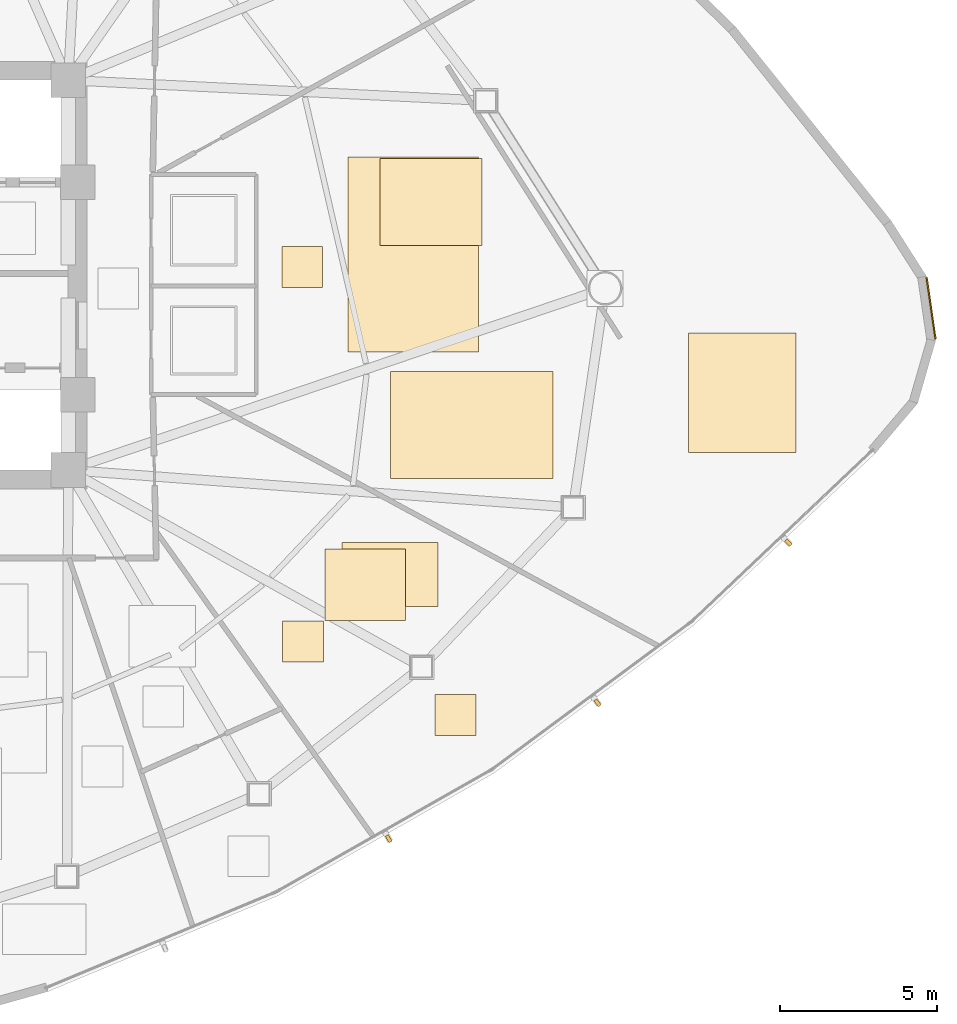
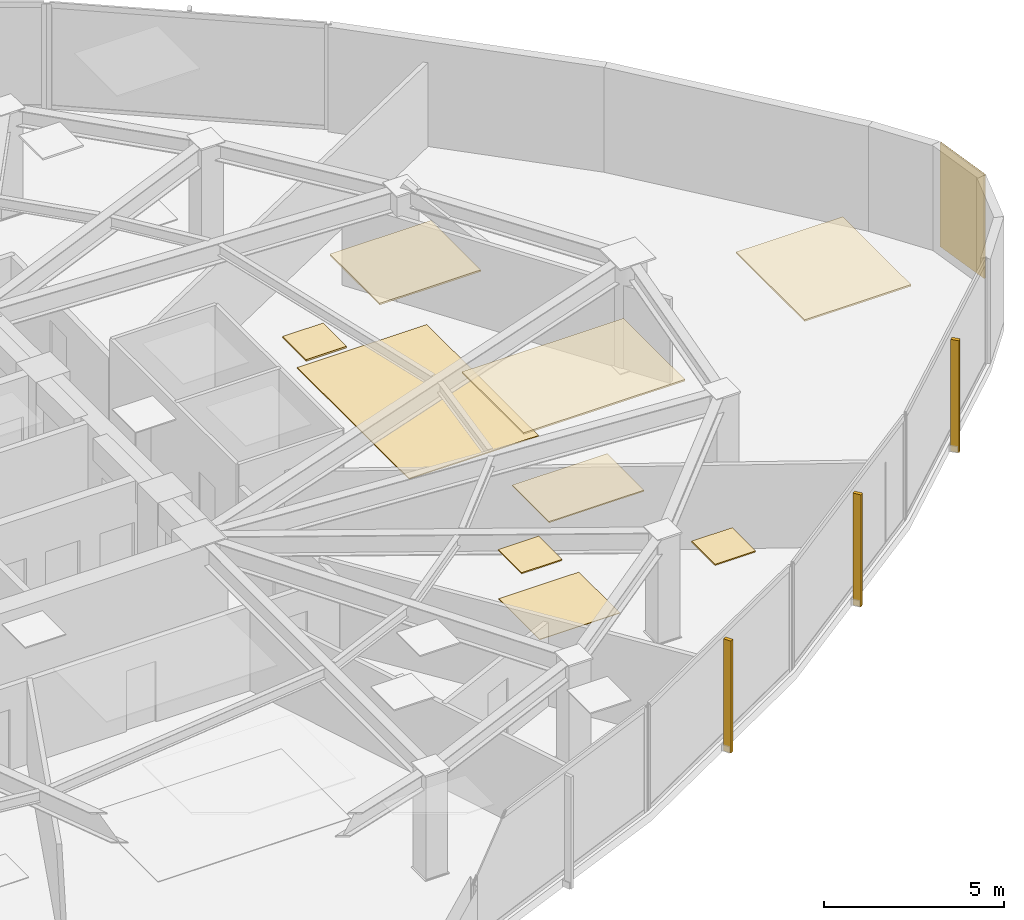
# One storey, part 16 of 17: 10 coverings, 3 shading devices.
"""IFC4 building model written with IfcOpenShell, lengths in metres."""

import ifcopenshell
import ifcopenshell.guid

model = None  # the IFC model being written
_history = None  # IfcOwnerHistory: only IFC2X3 demands one
_inside = {}  # id of a spatial element -> (the spatial element, [elements in it])
_under = {}  # id of a project, library or spatial element -> (it, [spatial elements below it])
_declared = {}  # id of a project -> (the project, [libraries it declares])
_typed = {}  # id of a type object -> (the type object, [elements of that type])
_made_of = {}  # id of a material, layer set ... -> (it, [elements and type objects made of it])


def new_model(schema):
    """Start an empty IFC model of exactly this schema.

    Asked for "IFC4X3", IfcOpenShell would pick the latest addendum, in which some entities
    have other attributes; the version numbers below select the first issue.
    IFC2X3 requires an IfcOwnerHistory on every rooted entity: one is made here for all.
    """
    global model, _history
    if schema == "IFC4X3":
        model = ifcopenshell.file(schema_version=(4, 3, 0, 0))
    else:
        model = ifcopenshell.file(schema=schema)
    _inside.clear()
    _under.clear()
    _declared.clear()
    _typed.clear()
    _made_of.clear()
    _history = None
    if model.schema == "IFC2X3":
        org = make("IfcOrganization", Name="unknown")
        user = make(
            "IfcPersonAndOrganization",
            ThePerson=make("IfcPerson", FamilyName="unknown"),
            TheOrganization=org,
        )
        app = make(
            "IfcApplication",
            ApplicationDeveloper=org,
            Version="unknown",
            ApplicationFullName="unknown",
            ApplicationIdentifier="unknown",
        )
        _history = make(
            "IfcOwnerHistory",
            OwningUser=user,
            OwningApplication=app,
            ChangeAction="ADDED",
            CreationDate=0,
        )
    return model


def make(cls, **values):
    """One entity of the class cls with the attributes given. An attribute that is None is left unset."""
    return model.create_entity(
        cls, **{name: value for name, value in values.items() if value is not None}
    )


def rooted(cls, **values):
    """An entity with a GlobalId (a new one), such as an element, a storey or a relation."""
    return make(cls, GlobalId=ifcopenshell.guid.new(), OwnerHistory=_history, **values)


def si_unit(unit_type, name, prefix=None):
    """IfcSIUnit, for example si_unit("LENGTHUNIT", "METRE", prefix="MILLI")."""
    return make("IfcSIUnit", UnitType=unit_type, Prefix=prefix, Name=name)


def assignment(units):
    """IfcUnitAssignment: the units of a project."""
    return None if units is None else make("IfcUnitAssignment", Units=units)


def point(xyz):
    """IfcCartesianPoint."""
    return None if xyz is None else make("IfcCartesianPoint", Coordinates=xyz)


def direction(xyz):
    """IfcDirection."""
    return None if xyz is None else make("IfcDirection", DirectionRatios=xyz)


def frame(location, z_axis=None, x_axis=None):
    """IfcAxis2Placement3D, a coordinate frame: its origin and axes. An axis left out is left unset."""
    return make(
        "IfcAxis2Placement3D",
        Location=point(location),
        Axis=direction(z_axis),
        RefDirection=direction(x_axis),
    )


def frame_2d(location, x_axis=None):
    """IfcAxis2Placement2D, a coordinate frame in the plane: its origin and x axis."""
    return make(
        "IfcAxis2Placement2D", Location=point(location), RefDirection=direction(x_axis)
    )


def origin():
    """The frame at (0, 0, 0) with its axes left unset."""
    return frame((0.0, 0.0, 0.0))


def origin_2d():
    """The frame at (0, 0) in the plane with its x axis left unset."""
    return frame_2d((0.0, 0.0))


def place(relative_to, where):
    """IfcLocalPlacement: puts the frame where relative to a parent placement (None: the world)."""
    return make(
        "IfcLocalPlacement", PlacementRelTo=relative_to, RelativePlacement=where
    )


def context(
    kind, dimensions, precision=None, world=None, true_north=None, identifier=None
):
    """IfcGeometricRepresentationContext, for example the 3D "Model" context."""
    return make(
        "IfcGeometricRepresentationContext",
        ContextIdentifier=identifier,
        ContextType=kind,
        CoordinateSpaceDimension=dimensions,
        Precision=precision,
        WorldCoordinateSystem=world,
        TrueNorth=true_north,
    )


def subcontext(parent, identifier, kind, view, scale=None):
    """IfcGeometricRepresentationSubContext, for example "Body" below "Model"."""
    return make(
        "IfcGeometricRepresentationSubContext",
        ContextIdentifier=identifier,
        ContextType=kind,
        ParentContext=parent,
        TargetScale=scale,
        TargetView=view,
    )


def project(units=None, contexts=None):
    """IfcProject with its units and contexts."""
    return rooted(
        "IfcProject",
        Name="project",
        RepresentationContexts=contexts,
        UnitsInContext=assignment(units),
    )


def spatial(cls, under=None, at=None, **own):
    """A site, building, storey or space (cls), placed at a placement, below another one or the project."""
    s = rooted(cls, ObjectPlacement=at, **own)
    if under is not None:
        _under.setdefault(under.id(), (under, []))[1].append(s)
    return s


def polyline(points):
    """IfcPolyline through the points."""
    return make("IfcPolyline", Points=[point(p) for p in points])


def profile(cls, at=None, kind="AREA", **sizes):
    """A parametric profile (cls). Its sizes go by their IFC names, for example OverallWidth=200.0."""
    return make(cls, ProfileType=kind, Position=at, **sizes)


def rectangle(**sizes):
    """IfcRectangleProfileDef."""
    return profile("IfcRectangleProfileDef", **sizes)


def outline(outer, holes=None, kind="AREA"):
    """IfcArbitraryClosedProfileDef: a profile drawn as a closed curve; with holes, ...WithVoids."""
    if holes is None:
        return make("IfcArbitraryClosedProfileDef", ProfileType=kind, OuterCurve=outer)
    return make(
        "IfcArbitraryProfileDefWithVoids",
        ProfileType=kind,
        OuterCurve=outer,
        InnerCurves=holes,
    )


def extrude(swept, where, along, depth):
    """IfcExtrudedAreaSolid: the profile swept, set in the frame where, extruded along a direction by depth."""
    return make(
        "IfcExtrudedAreaSolid",
        SweptArea=swept,
        Position=where,
        ExtrudedDirection=direction(along),
        Depth=depth,
    )


def shape(context_of_items, identifier, shape_type, items):
    """IfcShapeRepresentation: the items that make up one representation, for example the "Body"."""
    return make(
        "IfcShapeRepresentation",
        ContextOfItems=context_of_items,
        RepresentationIdentifier=identifier,
        RepresentationType=shape_type,
        Items=items,
    )


def source(mapping_origin, context_of_items, identifier, shape_type, items):
    """IfcRepresentationMap: a shape defined once, which mapped items show again and again."""
    return make(
        "IfcRepresentationMap",
        MappingOrigin=mapping_origin,
        MappedRepresentation=shape(context_of_items, identifier, shape_type, items),
    )


def transform(
    local_origin,
    x_axis=None,
    y_axis=None,
    z_axis=None,
    scale=None,
    scale2=None,
    scale3=None,
    uniform=True,
):
    """IfcCartesianTransformationOperator3D, or its non-uniform kind. x_axis, y_axis, z_axis: its Axis1, 2, 3."""
    if uniform:
        return make(
            "IfcCartesianTransformationOperator3D",
            Axis1=direction(x_axis),
            Axis2=direction(y_axis),
            LocalOrigin=point(local_origin),
            Scale=scale,
            Axis3=direction(z_axis),
        )
    return make(
        "IfcCartesianTransformationOperator3DnonUniform",
        Axis1=direction(x_axis),
        Axis2=direction(y_axis),
        LocalOrigin=point(local_origin),
        Scale=scale,
        Axis3=direction(z_axis),
        Scale2=scale2,
        Scale3=scale3,
    )


def mapped(mapping_source, mapping_target):
    """IfcMappedItem: shows the shape of a source again, moved by a transform."""
    return make(
        "IfcMappedItem", MappingSource=mapping_source, MappingTarget=mapping_target
    )


def material(Name=None, Category=None):
    """IfcMaterial."""
    return make("IfcMaterial", Name=Name, Category=Category)


def layer(
    of_material, thickness, ventilated=None, Name=None, Category=None, Priority=None
):
    """IfcMaterialLayer: one layer of a wall or slab, of a material (None: an air gap)."""
    return make(
        "IfcMaterialLayer",
        Material=of_material,
        LayerThickness=thickness,
        IsVentilated=ventilated,
        Name=Name,
        Category=Category,
        Priority=Priority,
    )


def layer_set(layers, Name=None):
    """IfcMaterialLayerSet."""
    return make("IfcMaterialLayerSet", MaterialLayers=layers, LayerSetName=Name)


def made_of(thing, what):
    """Note that an element or type object is made of a material, layer set ...; save() writes the relation."""
    if what is not None:
        _made_of.setdefault(what.id(), (what, []))[1].append(thing)
    return thing


def type_object(cls, material=None, **own):
    """A type object (cls), such as IfcWallType, which elements share."""
    return made_of(rooted(cls, **own), material)


def type_shapes(of_type, sources):
    """Give a type object the sources (RepresentationMaps) that its elements show as mapped items."""
    of_type.RepresentationMaps = sources


def element(
    cls,
    number,
    at=None,
    inside=None,
    cuts=None,
    type_object=None,
    material=None,
    context=None,
    identifier="Body",
    shape_type=None,
    held_by="IfcProductDefinitionShape",
    body=None,
    shapes=None,
    **own,
):
    """One element of the class cls, such as IfcWall. Its Tag is "e" and its number.

    at: its placement. inside: the storey or other place that contains it. cuts: it is an
    opening in that element (IfcRelVoidsElement). A single representation is given by context,
    identifier, shape_type and body (its items); several are given by shapes. held_by: the class
    of the entity that holds the representations. save() writes the other relations.
    """
    e = rooted(cls, Tag="e%d" % number, ObjectPlacement=at, **own)
    if body is not None:
        shapes = [shape(context, identifier, shape_type, body)]
    if shapes is not None:
        e.Representation = make(held_by, Representations=shapes)
    if inside is not None:
        _inside.setdefault(inside.id(), (inside, []))[1].append(e)
    if cuts is not None:
        rooted(
            "IfcRelVoidsElement", RelatingBuildingElement=cuts, RelatedOpeningElement=e
        )
    if type_object is not None:
        _typed.setdefault(type_object.id(), (type_object, []))[1].append(e)
    return made_of(e, material)


def aggregate(whole, parts):
    """IfcRelAggregates: a whole, such as a stair, and the parts it consists of."""
    return rooted("IfcRelAggregates", RelatingObject=whole, RelatedObjects=parts)


def save(model, path):
    """Write the relations noted so far, then the file.

    IfcRelAggregates (storeys below a building ...), IfcRelContainedInSpatialStructure (elements
    in a storey), IfcRelDefinesByType, IfcRelAssociatesMaterial and IfcRelDeclares: one each for
    every whole, place, type object, material and project.
    """
    for whole, parts in _under.values():
        aggregate(whole, parts)
    for where, things in _inside.values():
        rooted(
            "IfcRelContainedInSpatialStructure",
            RelatedElements=things,
            RelatingStructure=where,
        )
    for kind, things in _typed.values():
        rooted("IfcRelDefinesByType", RelatedObjects=things, RelatingType=kind)
    for what, things in _made_of.values():
        rooted("IfcRelAssociatesMaterial", RelatedObjects=things, RelatingMaterial=what)
    for by, libraries in _declared.values():
        rooted("IfcRelDeclares", RelatingContext=by, RelatedDefinitions=libraries)
    model.write(path)


model = new_model("IFC4")

# Units and contexts
model_context = context("Model", 3, precision=1e-05, world=origin(), true_north=direction((0.0, 1.0)))
body_context = subcontext(model_context, "Body", "Model", "MODEL_VIEW")
ifc_project = project(units=[si_unit("LENGTHUNIT", "METRE"), si_unit("AREAUNIT", "SQUARE_METRE"), si_unit("VOLUMEUNIT", "CUBIC_METRE"), si_unit("PLANEANGLEUNIT", "RADIAN"), si_unit("MASSUNIT", "GRAM", prefix="KILO")], contexts=[model_context])

# Site, building, storey
site_placement = place(None, origin())
site = spatial("IfcSite", under=ifc_project, at=site_placement, CompositionType="ELEMENT")
building_placement = place(site_placement, origin())
building = spatial("IfcBuilding", under=site, at=building_placement, Name="Tavelor Broadcast Tower", CompositionType="ELEMENT")
storey_placement = place(building_placement, frame((0.0, 0.0, 142.550048828125)))
storey = spatial("IfcBuildingStorey", under=building, at=storey_placement, Name="L33", CompositionType="ELEMENT", Elevation=142.550048828125)

# Coverings
ifc_material_1 = material(Name="Copper-Bronze Anodized Aluminium", Category="aluminium")
ifc_layer_1 = layer(ifc_material_1, 0.050048828125)
ifc_layer_set_1 = layer_set([ifc_layer_1], Name="Copper-Bronze Anodized Aluminium")
covering_type_1 = type_object("IfcCoveringType", Name="Champagne-Bronze Corner Pier Metal Cladding 50 mm", PredefinedType="CLADDING", material=ifc_layer_set_1)
covering_1_placement = place(storey_placement, frame((84.04248046875, 43.944091796875, 0.02001953125), z_axis=(0.0, 0.0, 1.0), x_axis=(-0.143492621991, 0.98965138682, 0.0)))
element("IfcCovering", 1, at=covering_1_placement, inside=storey, type_object=covering_type_1, Name="L33 Champagne-Bronze Corner Cladding 23", PredefinedType="CLADDING", context=body_context, shape_type="SweptSolid", body=[
    extrude(rectangle(XDim=1.98046875, YDim=0.050048828125, at=origin_2d()), origin(), (0.0, 0.0, 1.0), 3.510009765625),
])
ifc_material_2 = material(Name="Acoustic Nylon Carpet Tile")
ifc_layer_2 = layer(ifc_material_2, 0.02001953125)
ifc_layer_set_2 = layer_set([ifc_layer_2], Name="Acoustic Nylon Carpet Tile")
covering_type_2 = type_object("IfcCoveringType", Name="Heavy-Duty Acoustic Broadcast Carpet Tile 20 mm", PredefinedType="FLOORING", material=ifc_layer_set_2)
covering_2_placement = place(storey_placement, origin())
element("IfcCovering", 2, at=covering_2_placement, inside=storey, type_object=covering_type_2, Name="L33 Broadcast Floor Finish 0468", PredefinedType="FLOORING", context=body_context, shape_type="SweptSolid", body=[
    extrude(outline(polyline([(64.76318359375, 34.015380859375), (67.333251953125, 34.015380859375), (67.333251953125, 36.29296875), (64.76318359375, 36.29296875), (64.76318359375, 34.015380859375)])), origin(), (0.0, 0.0, 1.0), 0.02001953125),
])
ifc_material_3 = material(Name="Acoustic Hardwood Studio Flooring", Category="wood")
ifc_layer_3 = layer(ifc_material_3, 0.034912109375)
ifc_layer_set_3 = layer_set([ifc_layer_3], Name="Acoustic Hardwood Studio Flooring")
covering_type_3 = type_object("IfcCoveringType", Name="Isolated Studio Acoustic Elastomeric Floor Finish 35 mm", PredefinedType="FLOORING", material=ifc_layer_set_3)
covering_3_placement = place(storey_placement, origin())
element("IfcCovering", 3, at=covering_3_placement, inside=storey, type_object=covering_type_3, Name="L33 Broadcast Floor Finish 0467", PredefinedType="FLOORING", context=body_context, shape_type="SweptSolid", body=[
    extrude(outline(polyline([(65.50390625, 42.552978515625), (69.654296875, 42.552978515625), (69.654296875, 48.7509765625), (65.50390625, 48.7509765625), (65.50390625, 42.552978515625)])), origin(), (0.0, 0.0, 1.0), 0.034912109375),
])
ifc_material_4 = material(Name="Acoustic Perforated Timber Baffle", Category="wood")
ifc_layer_4 = layer(ifc_material_4, 0.054931640625)
ifc_layer_set_4 = layer_set([ifc_layer_4], Name="Acoustic Perforated Timber Baffle")
covering_type_4 = type_object("IfcCoveringType", Name="Micro-Perforated Acoustic Baffle Studio Ceiling 55 mm", PredefinedType="CEILING", material=ifc_layer_set_4)
covering_4_placement = place(storey_placement, frame((0.0, 0.0, 3.494873046875)))
element("IfcCovering", 4, at=covering_4_placement, inside=storey, type_object=covering_type_4, Name="L33 Suspended Acoustic Ceiling 1342", PredefinedType="CEILING", context=body_context, shape_type="SweptSolid", body=[
    extrude(outline(polyline([(63.393310546875, 44.604736328125), (64.693115234375, 44.604736328125), (64.693115234375, 45.90478515625), (63.393310546875, 45.90478515625), (63.393310546875, 44.604736328125)])), origin(), (0.0, 0.0, 1.0), 0.05517578125),
])
covering_5_placement = place(storey_placement, frame((0.0, 0.0, 3.494873046875)))
element("IfcCovering", 5, at=covering_5_placement, inside=storey, type_object=covering_type_4, Name="L33 Suspended Acoustic Ceiling 1343", PredefinedType="CEILING", context=body_context, shape_type="SweptSolid", body=[
    extrude(outline(polyline([(66.521484375, 45.94140625), (69.76220703125, 45.94140625), (69.76220703125, 48.703369140625), (66.521484375, 48.703369140625), (66.521484375, 45.94140625)])), origin(), (0.0, 0.0, 1.0), 0.05517578125),
])
covering_6_placement = place(storey_placement, frame((0.0, 0.0, 3.494873046875)))
element("IfcCovering", 6, at=covering_6_placement, inside=storey, type_object=covering_type_4, Name="L33 Suspended Acoustic Ceiling 1344", PredefinedType="CEILING", context=body_context, shape_type="SweptSolid", body=[
    extrude(outline(polyline([(66.849853515625, 38.5224609375), (72.018310546875, 38.5224609375), (72.018310546875, 41.934326171875), (66.849853515625, 41.934326171875), (66.849853515625, 38.5224609375)])), origin(), (0.0, 0.0, 1.0), 0.05517578125),
])
covering_7_placement = place(storey_placement, frame((0.0, 0.0, 3.494873046875)))
element("IfcCovering", 7, at=covering_7_placement, inside=storey, type_object=covering_type_4, Name="L33 Suspended Acoustic Ceiling 1345", PredefinedType="CEILING", context=body_context, shape_type="SweptSolid", body=[
    extrude(outline(polyline([(76.330810546875, 39.356689453125), (79.743408203125, 39.356689453125), (79.743408203125, 43.153076171875), (76.330810546875, 43.153076171875), (76.330810546875, 39.356689453125)])), origin(), (0.0, 0.0, 1.0), 0.05517578125),
])
ifc_material_5 = material(Name="Acoustic Mineral Fibre Tile")
ifc_layer_5 = layer(ifc_material_5, 0.0400390625)
ifc_layer_set_5 = layer_set([ifc_layer_5], Name="Acoustic Mineral Fibre Tile")
covering_type_5 = type_object("IfcCoveringType", Name="Suspended Acoustic Mineral-Fibre Office Ceiling 40 mm", PredefinedType="CEILING", material=ifc_layer_set_5)
covering_8_placement = place(storey_placement, frame((0.0, 0.0, 3.510009765625)))
element("IfcCovering", 8, at=covering_8_placement, inside=storey, type_object=covering_type_5, Name="L33 Suspended Acoustic Ceiling 1346", PredefinedType="CEILING", context=body_context, shape_type="SweptSolid", body=[
    extrude(outline(polyline([(65.315185546875, 34.4521484375), (68.358642578125, 34.4521484375), (68.358642578125, 36.49658203125), (65.315185546875, 36.49658203125), (65.315185546875, 34.4521484375)])), origin(), (0.0, 0.0, 1.0), 0.0400390625),
])
covering_9_placement = place(storey_placement, frame((0.0, 0.0, 3.510009765625)))
element("IfcCovering", 9, at=covering_9_placement, inside=storey, type_object=covering_type_5, Name="L33 Suspended Acoustic Ceiling 1347", PredefinedType="CEILING", context=body_context, shape_type="SweptSolid", body=[
    extrude(outline(polyline([(68.26806640625, 30.360595703125), (69.568115234375, 30.360595703125), (69.568115234375, 31.66064453125), (68.26806640625, 31.66064453125), (68.26806640625, 30.360595703125)])), origin(), (0.0, 0.0, 1.0), 0.0400390625),
])
covering_10_placement = place(storey_placement, frame((0.0, 0.0, 3.510009765625)))
element("IfcCovering", 10, at=covering_10_placement, inside=storey, type_object=covering_type_5, Name="L33 Suspended Acoustic Ceiling 1348", PredefinedType="CEILING", context=body_context, shape_type="SweptSolid", body=[
    extrude(outline(polyline([(63.419189453125, 32.691650390625), (64.71923828125, 32.691650390625), (64.71923828125, 33.99169921875), (63.419189453125, 33.99169921875), (63.419189453125, 32.691650390625)])), origin(), (0.0, 0.0, 1.0), 0.0400390625),
])

# Shading devices
ifc_material_6 = material(Name="Kiln-Fired Glazed Terracotta", Category="masonry")
shading_device_type = type_object("IfcShadingDeviceType", Name="Extruded Terracotta Baguette Sun-Screen 110x240", PredefinedType="JALOUSIE", material=ifc_material_6)
shared_shape = source(origin(), body_context, "Body", "SweptSolid", [
    extrude(rectangle(XDim=0.110107421875, YDim=0.239990234375, at=origin_2d()), origin(), (0.0, 0.0, 1.0), 3.7900390625),
])
type_shapes(shading_device_type, [shared_shape])
for number, where, z_axis, x_axis, name in (
    (11, (66.7939453125, 27.073486328125, -0.260009765625), (0.0, 0.0, 1.0), (0.869667294767, 0.493638325511, 0.0), "L33 Terracotta Baguette Fin 330"),
    (12, (73.43603515625, 31.395263671875, -0.260009765625), (0.0, 0.0, 1.0), (0.803545301958, 0.595243603663, 0.0), "L33 Terracotta Baguette Fin 331"),
    (13, (79.506103515625, 36.48876953125, -0.260009765625), (0.0, 0.0, 1.0), (0.72561460789, 0.68810133034, 0.0), "L33 Terracotta Baguette Fin 332"),
):
    element("IfcShadingDevice", number, at=place(storey_placement, frame(where, z_axis=z_axis, x_axis=x_axis)), inside=storey, type_object=shading_device_type, Name=name, PredefinedType="JALOUSIE", context=body_context, shape_type="MappedRepresentation", body=[
        mapped(shared_shape, transform((0.0, 0.0, 0.0), scale=1.0)),
    ])

save(model, "model.ifc")
